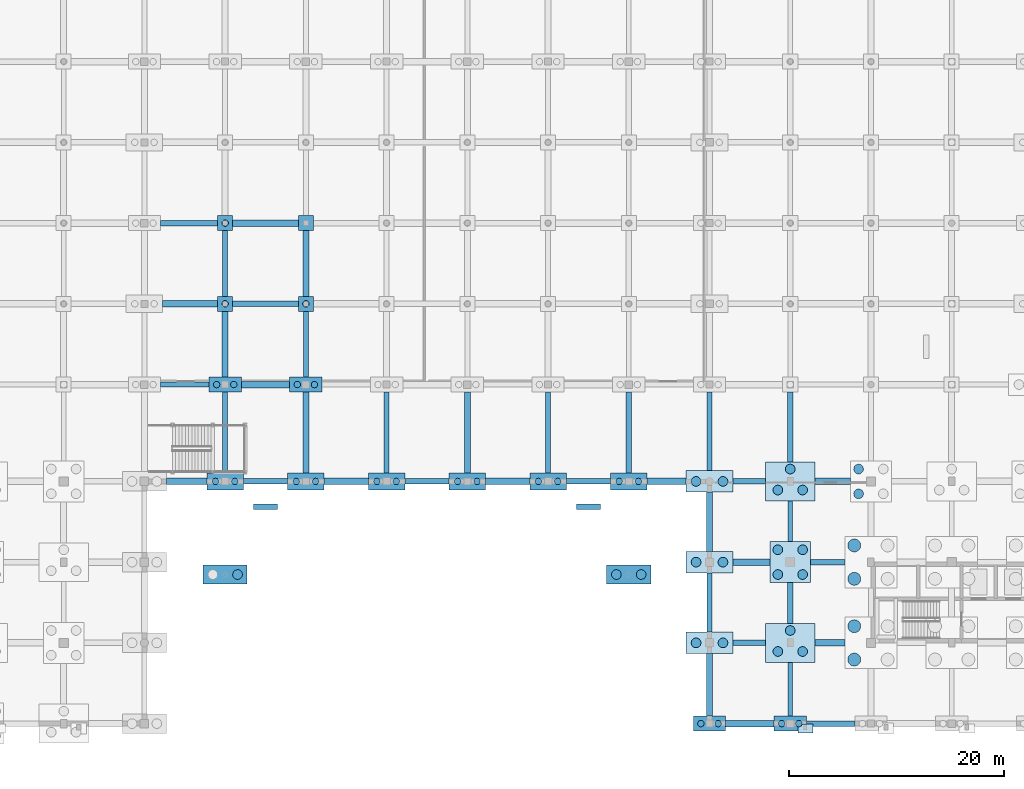
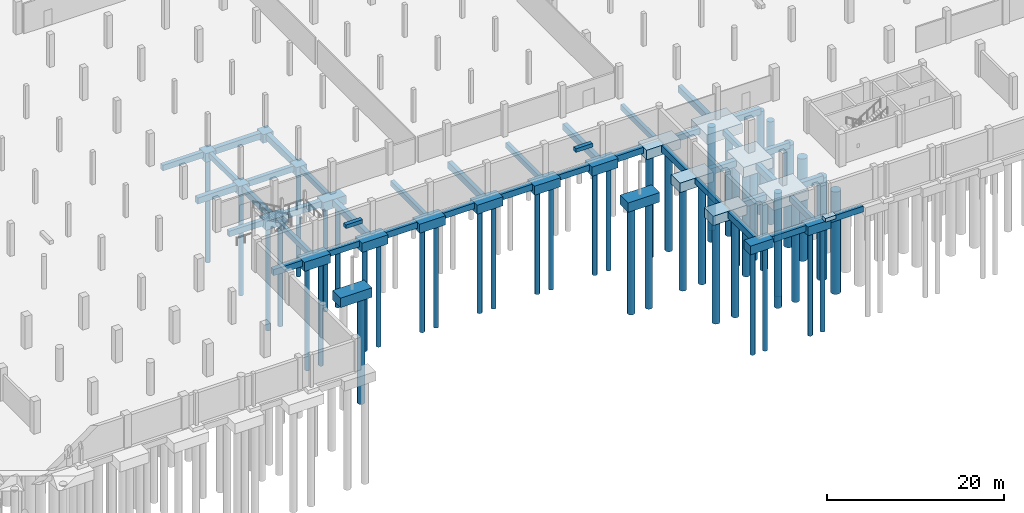
# One storey, part 4 of 42: 64 footings, 48 piles.
"""IFC4 building model written with IfcOpenShell, lengths in metres."""

from ifc_helpers import new_model, si_unit, direction, frame, origin, origin_2d, place, context, subcontext, project, spatial, rectangle, circle, extrude, material, material_profile, profile_set, type_object, element, save


model = new_model("IFC4")

# Units and contexts
model_context = context("Model", 3, precision=1e-05, world=origin(), true_north=direction((0.0, 1.0)))
body_context = subcontext(model_context, "Body", "Model", "MODEL_VIEW")
ifc_project = project(units=[si_unit("LENGTHUNIT", "METRE"), si_unit("AREAUNIT", "SQUARE_METRE"), si_unit("VOLUMEUNIT", "CUBIC_METRE"), si_unit("PLANEANGLEUNIT", "RADIAN"), si_unit("MASSUNIT", "GRAM", prefix="KILO")], contexts=[model_context])

# Site, building, storey
site_placement = place(None, origin())
site = spatial("IfcSite", under=ifc_project, at=site_placement, CompositionType="ELEMENT")
building_placement = place(site_placement, origin())
building = spatial("IfcBuilding", under=site, at=building_placement, Name="Dalvernix Boulevard General Hospital", CompositionType="ELEMENT")
storey_placement = place(building_placement, frame((0.0, 0.0, -4.5)))
storey = spatial("IfcBuildingStorey", under=building, at=storey_placement, Name="B1", CompositionType="ELEMENT", Elevation=-4.5)

# Footings
ifc_material_1 = material(Name="Concrete C35/45", Category="concrete")
footing_type_1 = type_object("IfcFootingType", Name="FTG-GB-01", PredefinedType="FOOTING_BEAM", material=ifc_material_1)
footing_1_placement = place(storey_placement, frame((123.75, 0.0, -1.2998046875), z_axis=(0.0, 0.0, 1.0), x_axis=(1.0, 0.0, 0.0)))
element("IfcFooting", 1, at=footing_1_placement, inside=storey, type_object=footing_type_1, Name="Ground beam A:17-18", PredefinedType="FOOTING_BEAM", context=body_context, shape_type="SweptSolid", body=[
    extrude(rectangle(XDim=4.5, YDim=0.5, at=origin_2d()), origin(), (0.0, 0.0, 1.0), 0.800048828125),
])
footing_2_placement = place(storey_placement, frame((116.199951171875, 7.5, -1.2998046875), z_axis=(0.0, 0.0, 1.0), x_axis=(1.0, 0.0, 0.0)))
element("IfcFooting", 2, at=footing_2_placement, inside=storey, type_object=footing_type_1, Name="Ground beam B:16-17", PredefinedType="FOOTING_BEAM", context=body_context, shape_type="SweptSolid", body=[
    extrude(rectangle(XDim=3.0, YDim=0.5, at=origin_2d()), origin(), (0.0, 0.0, 1.0), 0.800048828125),
])
footing_3_placement = place(storey_placement, frame((123.5, 15.0, -1.2998046875), z_axis=(0.0, 0.0, 1.0), x_axis=(1.0, 0.0, 0.0)))
element("IfcFooting", 3, at=footing_3_placement, inside=storey, type_object=footing_type_1, Name="Ground beam C:17-18", PredefinedType="FOOTING_BEAM", context=body_context, shape_type="SweptSolid", body=[
    extrude(rectangle(XDim=3.199951171875, YDim=0.5, at=origin_2d()), origin(), (0.0, 0.0, 1.0), 0.800048828125),
])
for number, where, z_axis, x_axis, name in (
    (4, (71.25, 22.5, -1.2998046875), (0.0, 0.0, 1.0), (1.0, 0.0, 0.0), "Ground beam D:10-11"),
    (5, (86.25, 22.5, -1.2998046875), (0.0, 0.0, 1.0), (1.0, 0.0, 0.0), "Ground beam D:12-13"),
    (6, (101.25, 22.5, -1.2998046875), (0.0, 0.0, 1.0), (1.0, 0.0, 0.0), "Ground beam D:14-15"),
):
    element("IfcFooting", number, at=place(storey_placement, frame(where, z_axis=z_axis, x_axis=x_axis)), inside=storey, type_object=footing_type_1, Name=name, PredefinedType="FOOTING_BEAM", context=body_context, shape_type="SweptSolid", body=[
        extrude(rectangle(XDim=4.10009765625, YDim=0.5, at=origin_2d()), origin(), (0.0, 0.0, 1.0), 0.800048828125),
    ])
footing_4_placement = place(storey_placement, frame((116.199951171875, 22.5, -1.2998046875), z_axis=(0.0, 0.0, 1.0), x_axis=(1.0, 0.0, 0.0)))
element("IfcFooting", 7, at=footing_4_placement, inside=storey, type_object=footing_type_1, Name="Ground beam D:16-17", PredefinedType="FOOTING_BEAM", context=body_context, shape_type="SweptSolid", body=[
    extrude(rectangle(XDim=3.0, YDim=0.5, at=origin_2d()), origin(), (0.0, 0.0, 1.0), 0.800048828125),
])
footing_5_placement = place(storey_placement, frame((63.75, 31.5, -1.2998046875), z_axis=(0.0, 0.0, 1.0), x_axis=(1.0, 0.0, 0.0)))
element("IfcFooting", 8, at=footing_5_placement, inside=storey, type_object=footing_type_1, Name="Ground beam E:9-10", PredefinedType="FOOTING_BEAM", context=body_context, shape_type="SweptSolid", body=[
    extrude(rectangle(XDim=4.5, YDim=0.5, at=origin_2d()), origin(), (0.0, 0.0, 1.0), 0.800048828125),
])
footing_6_placement = place(storey_placement, frame((71.25, 39.0, -1.2998046875), z_axis=(0.0, 0.0, 1.0), x_axis=(1.0, 0.0, 0.0)))
element("IfcFooting", 9, at=footing_6_placement, inside=storey, type_object=footing_type_1, Name="Ground beam F:10-11", PredefinedType="FOOTING_BEAM", context=body_context, shape_type="SweptSolid", body=[
    extrude(rectangle(XDim=6.10009765625, YDim=0.5, at=origin_2d()), origin(), (0.0, 0.0, 1.0), 0.800048828125),
])
footing_7_placement = place(storey_placement, frame((64.14990234375, 46.5, -1.2998046875), z_axis=(0.0, 0.0, 1.0), x_axis=(1.0, 0.0, 0.0)))
element("IfcFooting", 10, at=footing_7_placement, inside=storey, type_object=footing_type_1, Name="Ground beam G:9-10", PredefinedType="FOOTING_BEAM", context=body_context, shape_type="SweptSolid", body=[
    extrude(rectangle(XDim=5.300048828125, YDim=0.5, at=origin_2d()), origin(), (0.0, 0.0, 1.0), 0.800048828125),
])
footing_type_2 = type_object("IfcFootingType", Name="FTG-GB-02", PredefinedType="FOOTING_BEAM", material=ifc_material_1)
footing_8_placement = place(storey_placement, frame((116.25, 0.0, -1.35009765625), z_axis=(0.0, 0.0, 1.0), x_axis=(1.0, 0.0, 0.0)))
element("IfcFooting", 11, at=footing_8_placement, inside=storey, type_object=footing_type_2, Name="Ground beam A:16-17", PredefinedType="FOOTING_BEAM", context=body_context, shape_type="SweptSolid", body=[
    extrude(rectangle(XDim=4.5, YDim=0.60009765625, at=origin_2d()), origin(), (0.0, 0.0, 1.0), 0.85009765625),
])
footing_9_placement = place(storey_placement, frame((123.699951171875, 7.5, -1.35009765625), z_axis=(0.0, 0.0, 1.0), x_axis=(1.0, 0.0, 0.0)))
element("IfcFooting", 12, at=footing_9_placement, inside=storey, type_object=footing_type_2, Name="Ground beam B:17-18", PredefinedType="FOOTING_BEAM", context=body_context, shape_type="SweptSolid", body=[
    extrude(rectangle(XDim=2.800048828125, YDim=0.60009765625, at=origin_2d()), origin(), (0.0, 0.0, 1.0), 0.85009765625),
])
footing_10_placement = place(storey_placement, frame((116.39990234375, 15.0, -1.35009765625), z_axis=(0.0, 0.0, 1.0), x_axis=(1.0, 0.0, 0.0)))
element("IfcFooting", 13, at=footing_10_placement, inside=storey, type_object=footing_type_2, Name="Ground beam C:16-17", PredefinedType="FOOTING_BEAM", context=body_context, shape_type="SweptSolid", body=[
    extrude(rectangle(XDim=3.39990234375, YDim=0.60009765625, at=origin_2d()), origin(), (0.0, 0.0, 1.0), 0.85009765625),
])
footing_11_placement = place(storey_placement, frame((63.925048828125, 22.5, -1.35009765625), z_axis=(0.0, 0.0, 1.0), x_axis=(1.0, 0.0, 0.0)))
element("IfcFooting", 14, at=footing_11_placement, inside=storey, type_object=footing_type_2, Name="Ground beam D:9-10", PredefinedType="FOOTING_BEAM", context=body_context, shape_type="SweptSolid", body=[
    extrude(rectangle(XDim=3.75, YDim=0.60009765625, at=origin_2d()), origin(), (0.0, 0.0, 1.0), 0.85009765625),
])
for number, where, z_axis, x_axis, name in (
    (15, (78.75, 22.5, -1.35009765625), (0.0, 0.0, 1.0), (1.0, 0.0, 0.0), "Ground beam D:11-12"),
    (16, (93.75, 22.5, -1.35009765625), (0.0, 0.0, 1.0), (1.0, 0.0, 0.0), "Ground beam D:13-14"),
):
    element("IfcFooting", number, at=place(storey_placement, frame(where, z_axis=z_axis, x_axis=x_axis)), inside=storey, type_object=footing_type_2, Name=name, PredefinedType="FOOTING_BEAM", context=body_context, shape_type="SweptSolid", body=[
        extrude(rectangle(XDim=4.10009765625, YDim=0.60009765625, at=origin_2d()), origin(), (0.0, 0.0, 1.0), 0.85009765625),
    ])
footing_12_placement = place(storey_placement, frame((108.5, 22.5, -1.35009765625), z_axis=(0.0, 0.0, 1.0), x_axis=(1.0, 0.0, 0.0)))
element("IfcFooting", 17, at=footing_12_placement, inside=storey, type_object=footing_type_2, Name="Ground beam D:15-16", PredefinedType="FOOTING_BEAM", context=body_context, shape_type="SweptSolid", body=[
    extrude(rectangle(XDim=3.60009765625, YDim=0.60009765625, at=origin_2d()), origin(), (0.0, 0.0, 1.0), 0.85009765625),
])
footing_13_placement = place(storey_placement, frame((123.949951171875, 22.5, -1.35009765625), z_axis=(0.0, 0.0, 1.0), x_axis=(1.0, 0.0, 0.0)))
element("IfcFooting", 18, at=footing_13_placement, inside=storey, type_object=footing_type_2, Name="Ground beam D:17-18", PredefinedType="FOOTING_BEAM", context=body_context, shape_type="SweptSolid", body=[
    extrude(rectangle(XDim=3.300048828125, YDim=0.60009765625, at=origin_2d()), origin(), (0.0, 0.0, 1.0), 0.85009765625),
])
footing_14_placement = place(storey_placement, frame((71.25, 31.5, -1.35009765625), z_axis=(0.0, 0.0, 1.0), x_axis=(1.0, 0.0, 0.0)))
element("IfcFooting", 19, at=footing_14_placement, inside=storey, type_object=footing_type_2, Name="Ground beam E:10-11", PredefinedType="FOOTING_BEAM", context=body_context, shape_type="SweptSolid", body=[
    extrude(rectangle(XDim=4.5, YDim=0.60009765625, at=origin_2d()), origin(), (0.0, 0.0, 1.0), 0.85009765625),
])
footing_15_placement = place(storey_placement, frame((64.25, 39.0, -1.35009765625), z_axis=(0.0, 0.0, 1.0), x_axis=(1.0, 0.0, 0.0)))
element("IfcFooting", 20, at=footing_15_placement, inside=storey, type_object=footing_type_2, Name="Ground beam F:9-10", PredefinedType="FOOTING_BEAM", context=body_context, shape_type="SweptSolid", body=[
    extrude(rectangle(XDim=5.10009765625, YDim=0.60009765625, at=origin_2d()), origin(), (0.0, 0.0, 1.0), 0.85009765625),
])
footing_16_placement = place(storey_placement, frame((71.25, 46.5, -1.35009765625), z_axis=(0.0, 0.0, 1.0), x_axis=(1.0, 0.0, 0.0)))
element("IfcFooting", 21, at=footing_16_placement, inside=storey, type_object=footing_type_2, Name="Ground beam G:10-11", PredefinedType="FOOTING_BEAM", context=body_context, shape_type="SweptSolid", body=[
    extrude(rectangle(XDim=6.10009765625, YDim=0.60009765625, at=origin_2d()), origin(), (0.0, 0.0, 1.0), 0.85009765625),
])
footing_type_3 = type_object("IfcFootingType", Name="FTG-GB-03", PredefinedType="FOOTING_BEAM", material=ifc_material_1)
footing_17_placement = place(storey_placement, frame((67.5, 27.050048828125, -1.25), z_axis=(0.0, 0.0, 1.0), x_axis=(0.0, 1.0, 0.0)))
element("IfcFooting", 22, at=footing_17_placement, inside=storey, type_object=footing_type_3, Name="Ground beam 10:D-E", PredefinedType="FOOTING_BEAM", context=body_context, shape_type="SweptSolid", body=[
    extrude(rectangle(XDim=7.5, YDim=0.449951171875, at=origin_2d()), origin(), (0.0, 0.0, 1.0), 0.75),
])
for number, where, z_axis, x_axis, name in (
    (23, (67.5, 42.75, -1.25), (0.0, 0.0, 1.0), (0.0, 1.0, 0.0), "Ground beam 10:F-G"),
    (24, (75.0, 35.25, -1.25), (0.0, 0.0, 1.0), (0.0, 1.0, 0.0), "Ground beam 11:E-F"),
):
    element("IfcFooting", number, at=place(storey_placement, frame(where, z_axis=z_axis, x_axis=x_axis)), inside=storey, type_object=footing_type_3, Name=name, PredefinedType="FOOTING_BEAM", context=body_context, shape_type="SweptSolid", body=[
        extrude(rectangle(XDim=6.10009765625, YDim=0.449951171875, at=origin_2d()), origin(), (0.0, 0.0, 1.0), 0.75),
    ])
for number, where, z_axis, x_axis, name in (
    (25, (82.5, 27.050048828125, -1.25), (0.0, 0.0, 1.0), (0.0, 1.0, 0.0), "Ground beam 12:D-E"),
    (26, (97.5, 27.050048828125, -1.25), (0.0, 0.0, 1.0), (0.0, 1.0, 0.0), "Ground beam 14:D-E"),
):
    element("IfcFooting", number, at=place(storey_placement, frame(where, z_axis=z_axis, x_axis=x_axis)), inside=storey, type_object=footing_type_3, Name=name, PredefinedType="FOOTING_BEAM", context=body_context, shape_type="SweptSolid", body=[
        extrude(rectangle(XDim=7.5, YDim=0.449951171875, at=origin_2d()), origin(), (0.0, 0.0, 1.0), 0.75),
    ])
footing_18_placement = place(storey_placement, frame((112.5, 11.25, -1.25), z_axis=(0.0, 0.0, 1.0), x_axis=(0.0, 1.0, 0.0)))
element("IfcFooting", 27, at=footing_18_placement, inside=storey, type_object=footing_type_3, Name="Ground beam 16:B-C", PredefinedType="FOOTING_BEAM", context=body_context, shape_type="SweptSolid", body=[
    extrude(rectangle(XDim=5.5, YDim=0.449951171875, at=origin_2d()), origin(), (0.0, 0.0, 1.0), 0.75),
])
footing_19_placement = place(storey_placement, frame((112.5, 27.14990234375, -1.25), z_axis=(0.0, 0.0, 1.0), x_axis=(0.0, 1.0, 0.0)))
element("IfcFooting", 28, at=footing_19_placement, inside=storey, type_object=footing_type_3, Name="Ground beam 16:D-E", PredefinedType="FOOTING_BEAM", context=body_context, shape_type="SweptSolid", body=[
    extrude(rectangle(XDim=7.300048828125, YDim=0.449951171875, at=origin_2d()), origin(), (0.0, 0.0, 1.0), 0.75),
])
footing_20_placement = place(storey_placement, frame((120.0, 3.199951171875, -1.25), z_axis=(0.0, 0.0, 1.0), x_axis=(0.0, 1.0, 0.0)))
element("IfcFooting", 29, at=footing_20_placement, inside=storey, type_object=footing_type_3, Name="Ground beam 17:A-B", PredefinedType="FOOTING_BEAM", context=body_context, shape_type="SweptSolid", body=[
    extrude(rectangle(XDim=5.0, YDim=0.449951171875, at=origin_2d()), origin(), (0.0, 0.0, 1.0), 0.75),
])
footing_21_placement = place(storey_placement, frame((120.0, 18.800048828125, -1.25), z_axis=(0.0, 0.0, 1.0), x_axis=(0.0, 1.0, 0.0)))
element("IfcFooting", 30, at=footing_21_placement, inside=storey, type_object=footing_type_3, Name="Ground beam 17:C-D", PredefinedType="FOOTING_BEAM", context=body_context, shape_type="SweptSolid", body=[
    extrude(rectangle(XDim=3.800048828125, YDim=0.449951171875, at=origin_2d()), origin(), (0.0, 0.0, 1.0), 0.75),
])
footing_type_4 = type_object("IfcFootingType", Name="FTG-GB-04", PredefinedType="FOOTING_BEAM", material=ifc_material_1)
footing_22_placement = place(storey_placement, frame((67.5, 35.25, -1.39990234375), z_axis=(0.0, 0.0, 1.0), x_axis=(0.0, 1.0, 0.0)))
element("IfcFooting", 31, at=footing_22_placement, inside=storey, type_object=footing_type_4, Name="Ground beam 10:E-F", PredefinedType="FOOTING_BEAM", context=body_context, shape_type="SweptSolid", body=[
    extrude(rectangle(XDim=6.10009765625, YDim=0.550048828125, at=origin_2d()), origin(), (0.0, 0.0, 1.0), 0.89990234375),
])
footing_23_placement = place(storey_placement, frame((75.0, 27.050048828125, -1.39990234375), z_axis=(0.0, 0.0, 1.0), x_axis=(0.0, 1.0, 0.0)))
element("IfcFooting", 32, at=footing_23_placement, inside=storey, type_object=footing_type_4, Name="Ground beam 11:D-E", PredefinedType="FOOTING_BEAM", context=body_context, shape_type="SweptSolid", body=[
    extrude(rectangle(XDim=7.5, YDim=0.550048828125, at=origin_2d()), origin(), (0.0, 0.0, 1.0), 0.89990234375),
])
footing_24_placement = place(storey_placement, frame((75.0, 42.75, -1.39990234375), z_axis=(0.0, 0.0, 1.0), x_axis=(0.0, 1.0, 0.0)))
element("IfcFooting", 33, at=footing_24_placement, inside=storey, type_object=footing_type_4, Name="Ground beam 11:F-G", PredefinedType="FOOTING_BEAM", context=body_context, shape_type="SweptSolid", body=[
    extrude(rectangle(XDim=6.10009765625, YDim=0.550048828125, at=origin_2d()), origin(), (0.0, 0.0, 1.0), 0.89990234375),
])
for number, where, z_axis, x_axis, name in (
    (34, (90.0, 27.050048828125, -1.39990234375), (0.0, 0.0, 1.0), (0.0, 1.0, 0.0), "Ground beam 13:D-E"),
    (35, (105.0, 27.050048828125, -1.39990234375), (0.0, 0.0, 1.0), (0.0, 1.0, 0.0), "Ground beam 15:D-E"),
):
    element("IfcFooting", number, at=place(storey_placement, frame(where, z_axis=z_axis, x_axis=x_axis)), inside=storey, type_object=footing_type_4, Name=name, PredefinedType="FOOTING_BEAM", context=body_context, shape_type="SweptSolid", body=[
        extrude(rectangle(XDim=7.5, YDim=0.550048828125, at=origin_2d()), origin(), (0.0, 0.0, 1.0), 0.89990234375),
    ])
footing_25_placement = place(storey_placement, frame((112.5, 3.60009765625, -1.39990234375), z_axis=(0.0, 0.0, 1.0), x_axis=(0.0, 1.0, 0.0)))
element("IfcFooting", 36, at=footing_25_placement, inside=storey, type_object=footing_type_4, Name="Ground beam 16:A-B", PredefinedType="FOOTING_BEAM", context=body_context, shape_type="SweptSolid", body=[
    extrude(rectangle(XDim=5.800048828125, YDim=0.550048828125, at=origin_2d()), origin(), (0.0, 0.0, 1.0), 0.89990234375),
])
footing_26_placement = place(storey_placement, frame((112.5, 18.75, -1.39990234375), z_axis=(0.0, 0.0, 1.0), x_axis=(0.0, 1.0, 0.0)))
element("IfcFooting", 37, at=footing_26_placement, inside=storey, type_object=footing_type_4, Name="Ground beam 16:C-D", PredefinedType="FOOTING_BEAM", context=body_context, shape_type="SweptSolid", body=[
    extrude(rectangle(XDim=5.5, YDim=0.550048828125, at=origin_2d()), origin(), (0.0, 0.0, 1.0), 0.89990234375),
])
footing_27_placement = place(storey_placement, frame((120.0, 11.199951171875, -1.39990234375), z_axis=(0.0, 0.0, 1.0), x_axis=(0.0, 1.0, 0.0)))
element("IfcFooting", 38, at=footing_27_placement, inside=storey, type_object=footing_type_4, Name="Ground beam 17:B-C", PredefinedType="FOOTING_BEAM", context=body_context, shape_type="SweptSolid", body=[
    extrude(rectangle(XDim=3.800048828125, YDim=0.550048828125, at=origin_2d()), origin(), (0.0, 0.0, 1.0), 0.89990234375),
])
footing_28_placement = place(storey_placement, frame((120.0, 27.550048828125, -1.39990234375), z_axis=(0.0, 0.0, 1.0), x_axis=(0.0, 1.0, 0.0)))
element("IfcFooting", 39, at=footing_28_placement, inside=storey, type_object=footing_type_4, Name="Ground beam 17:D-E", PredefinedType="FOOTING_BEAM", context=body_context, shape_type="SweptSolid", body=[
    extrude(rectangle(XDim=6.5, YDim=0.550048828125, at=origin_2d()), origin(), (0.0, 0.0, 1.0), 0.89990234375),
])
ifc_material_2 = material(Name="Concrete C40/50", Category="concrete")
footing_type_5 = type_object("IfcFootingType", Name="FTG-PC-01", PredefinedType="PILE_CAP", material=ifc_material_2)
for number, where, z_axis, x_axis, name in (
    (40, (67.5, 39.0, -1.7001953125), (0.0, 0.0, 1.0), (1.0, 0.0, 0.0), "Pile cap 10F"),
    (41, (67.5, 46.5, -1.7001953125), (0.0, 0.0, 1.0), (1.0, 0.0, 0.0), "Pile cap 10G"),
    (42, (75.0, 39.0, -1.7001953125), (0.0, 0.0, 1.0), (1.0, 0.0, 0.0), "Pile cap 11F"),
    (43, (75.0, 46.5, -1.7001953125), (0.0, 0.0, 1.0), (1.0, 0.0, 0.0), "Pile cap 11G"),
):
    element("IfcFooting", number, at=place(storey_placement, frame(where, z_axis=z_axis, x_axis=x_axis)), inside=storey, type_object=footing_type_5, Name=name, PredefinedType="PILE_CAP", context=body_context, shape_type="SweptSolid", body=[
        extrude(rectangle(XDim=1.39990234375, YDim=1.39990234375, at=origin_2d()), origin(), (0.0, 0.0, 1.0), 1.199951171875),
    ])
footing_type_6 = type_object("IfcFootingType", Name="FTG-PC-02", PredefinedType="PILE_CAP", material=ifc_material_2)
for number, where, z_axis, x_axis, name in (
    (44, (67.5, 31.5, -1.7001953125), (0.0, 0.0, 1.0), (1.0, 0.0, 0.0), "Pile cap 10E"),
    (45, (75.0, 31.5, -1.7001953125), (0.0, 0.0, 1.0), (1.0, 0.0, 0.0), "Pile cap 11E"),
    (46, (112.5, 0.0, -1.7001953125), (0.0, 0.0, 1.0), (1.0, 0.0, 0.0), "Pile cap 16A"),
    (47, (120.0, 0.0, -1.7001953125), (0.0, 0.0, 1.0), (1.0, 0.0, 0.0), "Pile cap 17A"),
):
    element("IfcFooting", number, at=place(storey_placement, frame(where, z_axis=z_axis, x_axis=x_axis)), inside=storey, type_object=footing_type_6, Name=name, PredefinedType="PILE_CAP", context=body_context, shape_type="SweptSolid", body=[
        extrude(rectangle(XDim=3.0, YDim=1.39990234375, at=origin_2d()), origin(), (0.0, 0.0, 1.0), 1.199951171875),
    ])
footing_type_7 = type_object("IfcFootingType", Name="FTG-PC-03", PredefinedType="PILE_CAP", material=ifc_material_2)
for number, where, z_axis, x_axis, name in (
    (48, (67.5, 22.5, -1.75), (0.0, 0.0, 1.0), (1.0, 0.0, 0.0), "Pile cap 10D"),
    (49, (75.0, 22.5, -1.75), (0.0, 0.0, 1.0), (1.0, 0.0, 0.0), "Pile cap 11D"),
    (50, (82.5, 22.5, -1.75), (0.0, 0.0, 1.0), (1.0, 0.0, 0.0), "Pile cap 12D"),
    (51, (90.0, 22.5, -1.75), (0.0, 0.0, 1.0), (1.0, 0.0, 0.0), "Pile cap 13D"),
    (52, (97.5, 22.5, -1.75), (0.0, 0.0, 1.0), (1.0, 0.0, 0.0), "Pile cap 14D"),
    (53, (105.0, 22.5, -1.75), (0.0, 0.0, 1.0), (1.0, 0.0, 0.0), "Pile cap 15D"),
):
    element("IfcFooting", number, at=place(storey_placement, frame(where, z_axis=z_axis, x_axis=x_axis)), inside=storey, type_object=footing_type_7, Name=name, PredefinedType="PILE_CAP", context=body_context, shape_type="SweptSolid", body=[
        extrude(rectangle(XDim=3.39990234375, YDim=1.60009765625, at=origin_2d()), origin(), (0.0, 0.0, 1.0), 1.25),
    ])
footing_type_8 = type_object("IfcFootingType", Name="FTG-PC-04", PredefinedType="PILE_CAP", material=ifc_material_2)
for number, where, z_axis, x_axis, name in (
    (54, (67.5, 13.85009765625, -1.2998046875), (0.0, 0.0, 1.0), (1.0, 0.0, 0.0), "Porte-cochere pylon pile cap 1"),
    (55, (105.0, 13.85009765625, -1.2998046875), (0.0, 0.0, 1.0), (1.0, 0.0, 0.0), "Porte-cochere pylon pile cap 2"),
):
    element("IfcFooting", number, at=place(storey_placement, frame(where, z_axis=z_axis, x_axis=x_axis)), inside=storey, type_object=footing_type_8, Name=name, PredefinedType="PILE_CAP", context=body_context, shape_type="SweptSolid", body=[
        extrude(rectangle(XDim=4.10009765625, YDim=1.800048828125, at=origin_2d()), origin(), (0.0, 0.0, 1.0), 1.300048828125),
    ])
footing_type_9 = type_object("IfcFootingType", Name="FTG-PC-05", PredefinedType="PILE_CAP", material=ifc_material_2)
for number, where, z_axis, x_axis, name in (
    (56, (112.5, 7.5, -1.7998046875), (0.0, 0.0, 1.0), (1.0, 0.0, 0.0), "Pile cap 16B"),
    (57, (112.5, 15.0, -1.7998046875), (0.0, 0.0, 1.0), (1.0, 0.0, 0.0), "Pile cap 16C"),
    (58, (112.5, 22.5, -1.7998046875), (0.0, 0.0, 1.0), (1.0, 0.0, 0.0), "Pile cap 16D"),
):
    element("IfcFooting", number, at=place(storey_placement, frame(where, z_axis=z_axis, x_axis=x_axis)), inside=storey, type_object=footing_type_9, Name=name, PredefinedType="PILE_CAP", context=body_context, shape_type="SweptSolid", body=[
        extrude(rectangle(XDim=4.39990234375, YDim=2.0, at=origin_2d()), origin(), (0.0, 0.0, 1.0), 1.300048828125),
    ])
footing_type_10 = type_object("IfcFootingType", Name="FTG-PC-06", PredefinedType="PILE_CAP", material=ifc_material_2)
for number, where, z_axis, x_axis, name in (
    (59, (120.0, 7.5, -1.85009765625), (0.0, 0.0, 1.0), (1.0, 0.0, 0.0), "Pile cap 17B"),
    (60, (120.0, 22.5, -1.85009765625), (0.0, 0.0, 1.0), (1.0, 0.0, 0.0), "Pile cap 17D"),
):
    element("IfcFooting", number, at=place(storey_placement, frame(where, z_axis=z_axis, x_axis=x_axis)), inside=storey, type_object=footing_type_10, Name=name, PredefinedType="PILE_CAP", context=body_context, shape_type="SweptSolid", body=[
        extrude(rectangle(XDim=4.60009765625, YDim=3.60009765625, at=origin_2d()), origin(), (0.0, 0.0, 1.0), 1.35009765625),
    ])
footing_type_11 = type_object("IfcFootingType", Name="FTG-PC-07", PredefinedType="PILE_CAP", material=ifc_material_2)
footing_29_placement = place(storey_placement, frame((120.0, 15.0, -1.89990234375), z_axis=(0.0, 0.0, 1.0), x_axis=(1.0, 0.0, 0.0)))
element("IfcFooting", 61, at=footing_29_placement, inside=storey, type_object=footing_type_11, Name="Pile cap 17C", PredefinedType="PILE_CAP", context=body_context, shape_type="SweptSolid", body=[
    extrude(rectangle(XDim=3.800048828125, YDim=3.800048828125, at=origin_2d()), origin(), (0.0, 0.0, 1.0), 1.39990234375),
])
footing_type_12 = type_object("IfcFootingType", Name="FTG-SF-01", PredefinedType="STRIP_FOOTING", material=ifc_material_1)
footing_30_placement = place(storey_placement, frame((121.39990234375, -0.449951171875, -0.5), z_axis=(0.0, 0.0, 1.0), x_axis=(1.0, 0.0, 0.0)))
element("IfcFooting", 62, at=footing_30_placement, inside=storey, type_object=footing_type_12, Name="Boulevard buttress strip footing 7", PredefinedType="STRIP_FOOTING", context=body_context, shape_type="SweptSolid", body=[
    extrude(rectangle(XDim=1.39990234375, YDim=0.800048828125, at=origin_2d()), origin(), (0.0, 0.0, 1.0), 0.5),
])
for number, where, z_axis, x_axis, name in (
    (63, (71.25, 20.14990234375, 3.719970703125), (0.0, 0.0, 1.0), (0.0, 1.0, 0.0), "Accessible entrance ramp lower strip footing 1"),
    (64, (101.25, 20.14990234375, 3.719970703125), (0.0, 0.0, 1.0), (0.0, 1.0, 0.0), "Accessible entrance ramp lower strip footing 2"),
):
    element("IfcFooting", number, at=place(storey_placement, frame(where, z_axis=z_axis, x_axis=x_axis)), inside=storey, type_object=footing_type_12, Name=name, PredefinedType="STRIP_FOOTING", context=body_context, shape_type="SweptSolid", body=[
        extrude(rectangle(XDim=0.5, YDim=2.199951171875, at=origin_2d()), origin(), (0.0, 0.0, 1.0), 0.5),
    ])

# Piles
ifc_material_profile_1 = material_profile(ifc_material_1, circle(Radius=0.300048828125, at=origin_2d()), Name="BORED PILE D600")
ifc_profile_set_1 = profile_set([ifc_material_profile_1], Name="Concrete C35/45")
pile_type_1 = type_object("IfcPileType", Name="PILE-PL-01", PredefinedType="BORED", material=ifc_profile_set_1)
for number, where, z_axis, x_axis, name in (
    (65, (66.60009765625, 22.5, -1.64990234375), (0.0, 0.0, -1.0), (1.0, 0.0, 0.0), "Bored pile 10D-1"),
    (66, (68.39990234375, 22.5, -1.64990234375), (0.0, 0.0, -1.0), (1.0, 0.0, 0.0), "Bored pile 10D-2"),
):
    element("IfcPile", number, at=place(storey_placement, frame(where, z_axis=z_axis, x_axis=x_axis)), inside=storey, type_object=pile_type_1, Name=name, PredefinedType="BORED", context=body_context, shape_type="SweptSolid", body=[
        extrude(circle(Radius=0.300048828125, at=origin_2d()), origin(), (0.0, 0.0, 1.0), 14.35009765625),
    ])
for number, where, z_axis, x_axis, name in (
    (67, (66.699951171875, 31.5, -1.60009765625), (0.0, 0.0, -1.0), (1.0, 0.0, 0.0), "Bored pile 10E-1"),
    (68, (68.300048828125, 31.5, -1.60009765625), (0.0, 0.0, -1.0), (1.0, 0.0, 0.0), "Bored pile 10E-2"),
    (69, (67.5, 39.0, -1.60009765625), (0.0, 0.0, -1.0), (1.0, 0.0, 0.0), "Bored pile 10F-1"),
    (70, (67.5, 46.5, -1.60009765625), (0.0, 0.0, -1.0), (1.0, 0.0, 0.0), "Bored pile 10G-1"),
):
    element("IfcPile", number, at=place(storey_placement, frame(where, z_axis=z_axis, x_axis=x_axis)), inside=storey, type_object=pile_type_1, Name=name, PredefinedType="BORED", context=body_context, shape_type="SweptSolid", body=[
        extrude(circle(Radius=0.300048828125, at=origin_2d()), origin(), (0.0, 0.0, 1.0), 14.39990234375),
    ])
for number, where, z_axis, x_axis, name in (
    (71, (74.10009765625, 22.5, -1.64990234375), (0.0, 0.0, -1.0), (1.0, 0.0, 0.0), "Bored pile 11D-1"),
    (72, (75.89990234375, 22.5, -1.64990234375), (0.0, 0.0, -1.0), (1.0, 0.0, 0.0), "Bored pile 11D-2"),
):
    element("IfcPile", number, at=place(storey_placement, frame(where, z_axis=z_axis, x_axis=x_axis)), inside=storey, type_object=pile_type_1, Name=name, PredefinedType="BORED", context=body_context, shape_type="SweptSolid", body=[
        extrude(circle(Radius=0.300048828125, at=origin_2d()), origin(), (0.0, 0.0, 1.0), 14.35009765625),
    ])
for number, where, z_axis, x_axis, name in (
    (73, (74.199951171875, 31.5, -1.60009765625), (0.0, 0.0, -1.0), (1.0, 0.0, 0.0), "Bored pile 11E-1"),
    (74, (75.800048828125, 31.5, -1.60009765625), (0.0, 0.0, -1.0), (1.0, 0.0, 0.0), "Bored pile 11E-2"),
    (75, (75.0, 39.0, -1.60009765625), (0.0, 0.0, -1.0), (1.0, 0.0, 0.0), "Bored pile 11F-1"),
):
    element("IfcPile", number, at=place(storey_placement, frame(where, z_axis=z_axis, x_axis=x_axis)), inside=storey, type_object=pile_type_1, Name=name, PredefinedType="BORED", context=body_context, shape_type="SweptSolid", body=[
        extrude(circle(Radius=0.300048828125, at=origin_2d()), origin(), (0.0, 0.0, 1.0), 14.39990234375),
    ])
for number, where, z_axis, x_axis, name in (
    (76, (81.60009765625, 22.5, -1.64990234375), (0.0, 0.0, -1.0), (1.0, 0.0, 0.0), "Bored pile 12D-1"),
    (77, (83.39990234375, 22.5, -1.64990234375), (0.0, 0.0, -1.0), (1.0, 0.0, 0.0), "Bored pile 12D-2"),
    (78, (89.10009765625, 22.5, -1.64990234375), (0.0, 0.0, -1.0), (1.0, 0.0, 0.0), "Bored pile 13D-1"),
    (79, (90.89990234375, 22.5, -1.64990234375), (0.0, 0.0, -1.0), (1.0, 0.0, 0.0), "Bored pile 13D-2"),
    (80, (96.60009765625, 22.5, -1.64990234375), (0.0, 0.0, -1.0), (1.0, 0.0, 0.0), "Bored pile 14D-1"),
    (81, (98.39990234375, 22.5, -1.64990234375), (0.0, 0.0, -1.0), (1.0, 0.0, 0.0), "Bored pile 14D-2"),
    (82, (104.10009765625, 22.5, -1.64990234375), (0.0, 0.0, -1.0), (1.0, 0.0, 0.0), "Bored pile 15D-1"),
    (83, (105.89990234375, 22.5, -1.64990234375), (0.0, 0.0, -1.0), (1.0, 0.0, 0.0), "Bored pile 15D-2"),
):
    element("IfcPile", number, at=place(storey_placement, frame(where, z_axis=z_axis, x_axis=x_axis)), inside=storey, type_object=pile_type_1, Name=name, PredefinedType="BORED", context=body_context, shape_type="SweptSolid", body=[
        extrude(circle(Radius=0.300048828125, at=origin_2d()), origin(), (0.0, 0.0, 1.0), 14.35009765625),
    ])
for number, where, z_axis, x_axis, name in (
    (84, (111.699951171875, 0.0, -1.60009765625), (0.0, 0.0, -1.0), (1.0, 0.0, 0.0), "Bored pile 16A-1"),
    (85, (113.300048828125, 0.0, -1.60009765625), (0.0, 0.0, -1.0), (1.0, 0.0, 0.0), "Bored pile 16A-2"),
    (86, (119.199951171875, 0.0, -1.60009765625), (0.0, 0.0, -1.0), (1.0, 0.0, 0.0), "Bored pile 17A-1"),
    (87, (120.800048828125, 0.0, -1.60009765625), (0.0, 0.0, -1.0), (1.0, 0.0, 0.0), "Bored pile 17A-2"),
):
    element("IfcPile", number, at=place(storey_placement, frame(where, z_axis=z_axis, x_axis=x_axis)), inside=storey, type_object=pile_type_1, Name=name, PredefinedType="BORED", context=body_context, shape_type="SweptSolid", body=[
        extrude(circle(Radius=0.300048828125, at=origin_2d()), origin(), (0.0, 0.0, 1.0), 14.39990234375),
    ])
ifc_material_profile_2 = material_profile(ifc_material_1, circle(Radius=0.449951171875, at=origin_2d()), Name="BORED PILE D900")
ifc_profile_set_2 = profile_set([ifc_material_profile_2], Name="Concrete C35/45")
pile_type_2 = type_object("IfcPileType", Name="PILE-PL-02", PredefinedType="BORED", material=ifc_profile_set_2)
for number, where, z_axis, x_axis, name in (
    (88, (111.25, 7.5, -1.699951171875), (0.0, 0.0, -1.0), (1.0, 0.0, 0.0), "Bored pile 16B-1"),
    (89, (113.75, 7.5, -1.699951171875), (0.0, 0.0, -1.0), (1.0, 0.0, 0.0), "Bored pile 16B-2"),
    (90, (111.25, 15.0, -1.699951171875), (0.0, 0.0, -1.0), (1.0, 0.0, 0.0), "Bored pile 16C-1"),
    (91, (113.75, 15.0, -1.699951171875), (0.0, 0.0, -1.0), (1.0, 0.0, 0.0), "Bored pile 16C-2"),
    (92, (111.25, 22.5, -1.699951171875), (0.0, 0.0, -1.0), (1.0, 0.0, 0.0), "Bored pile 16D-1"),
    (93, (113.75, 22.5, -1.699951171875), (0.0, 0.0, -1.0), (1.0, 0.0, 0.0), "Bored pile 16D-2"),
):
    element("IfcPile", number, at=place(storey_placement, frame(where, z_axis=z_axis, x_axis=x_axis)), inside=storey, type_object=pile_type_2, Name=name, PredefinedType="BORED", context=body_context, shape_type="SweptSolid", body=[
        extrude(circle(Radius=0.449951171875, at=origin_2d()), origin(), (0.0, 0.0, 1.0), 14.300048828125),
    ])
for number, where, z_axis, x_axis, name in (
    (94, (118.85009765625, 6.699951171875, -1.75), (0.0, 0.0, -1.0), (1.0, 0.0, 0.0), "Bored pile 17B-1"),
    (95, (121.14990234375, 6.699951171875, -1.75), (0.0, 0.0, -1.0), (1.0, 0.0, 0.0), "Bored pile 17B-2"),
    (96, (120.0, 8.64990234375, -1.75), (0.0, 0.0, -1.0), (1.0, 0.0, 0.0), "Bored pile 17B-3"),
):
    element("IfcPile", number, at=place(storey_placement, frame(where, z_axis=z_axis, x_axis=x_axis)), inside=storey, type_object=pile_type_2, Name=name, PredefinedType="BORED", context=body_context, shape_type="SweptSolid", body=[
        extrude(circle(Radius=0.449951171875, at=origin_2d()), origin(), (0.0, 0.0, 1.0), 14.25),
    ])
for number, where, z_axis, x_axis, name in (
    (97, (118.85009765625, 13.85009765625, -1.800048828125), (0.0, 0.0, -1.0), (1.0, 0.0, 0.0), "Bored pile 17C-1"),
    (98, (121.14990234375, 13.85009765625, -1.800048828125), (0.0, 0.0, -1.0), (1.0, 0.0, 0.0), "Bored pile 17C-2"),
    (99, (118.85009765625, 16.14990234375, -1.800048828125), (0.0, 0.0, -1.0), (1.0, 0.0, 0.0), "Bored pile 17C-3"),
    (100, (121.14990234375, 16.14990234375, -1.800048828125), (0.0, 0.0, -1.0), (1.0, 0.0, 0.0), "Bored pile 17C-4"),
):
    element("IfcPile", number, at=place(storey_placement, frame(where, z_axis=z_axis, x_axis=x_axis)), inside=storey, type_object=pile_type_2, Name=name, PredefinedType="BORED", context=body_context, shape_type="SweptSolid", body=[
        extrude(circle(Radius=0.449951171875, at=origin_2d()), origin(), (0.0, 0.0, 1.0), 14.199951171875),
    ])
for number, where, z_axis, x_axis, name in (
    (101, (118.85009765625, 21.699951171875, -1.75), (0.0, 0.0, -1.0), (1.0, 0.0, 0.0), "Bored pile 17D-1"),
    (102, (121.14990234375, 21.699951171875, -1.75), (0.0, 0.0, -1.0), (1.0, 0.0, 0.0), "Bored pile 17D-2"),
    (103, (120.0, 23.64990234375, -1.75), (0.0, 0.0, -1.0), (1.0, 0.0, 0.0), "Bored pile 17D-3"),
):
    element("IfcPile", number, at=place(storey_placement, frame(where, z_axis=z_axis, x_axis=x_axis)), inside=storey, type_object=pile_type_2, Name=name, PredefinedType="BORED", context=body_context, shape_type="SweptSolid", body=[
        extrude(circle(Radius=0.449951171875, at=origin_2d()), origin(), (0.0, 0.0, 1.0), 14.25),
    ])
for number, where, z_axis, x_axis, name in (
    (104, (126.35009765625, 21.35009765625, -1.800048828125), (0.0, 0.0, -1.0), (1.0, 0.0, 0.0), "Bored pile 18D-1"),
    (105, (126.35009765625, 23.64990234375, -1.800048828125), (0.0, 0.0, -1.0), (1.0, 0.0, 0.0), "Bored pile 18D-3"),
):
    element("IfcPile", number, at=place(storey_placement, frame(where, z_axis=z_axis, x_axis=x_axis)), inside=storey, type_object=pile_type_2, Name=name, PredefinedType="BORED", context=body_context, shape_type="SweptSolid", body=[
        extrude(circle(Radius=0.449951171875, at=origin_2d()), origin(), (0.0, 0.0, 1.0), 14.199951171875),
    ])
for number, where, z_axis, x_axis, name in (
    (106, (68.64990234375, 13.85009765625, -1.199951171875), (0.0, 0.0, -1.0), (1.0, 0.0, 0.0), "Porte-cochere pylon bored pile 1-2"),
    (107, (103.85009765625, 13.85009765625, -1.199951171875), (0.0, 0.0, -1.0), (1.0, 0.0, 0.0), "Porte-cochere pylon bored pile 2-1"),
    (108, (106.14990234375, 13.85009765625, -1.199951171875), (0.0, 0.0, -1.0), (1.0, 0.0, 0.0), "Porte-cochere pylon bored pile 2-2"),
):
    element("IfcPile", number, at=place(storey_placement, frame(where, z_axis=z_axis, x_axis=x_axis)), inside=storey, type_object=pile_type_2, Name=name, PredefinedType="BORED", context=body_context, shape_type="SweptSolid", body=[
        extrude(circle(Radius=0.449951171875, at=origin_2d()), origin(), (0.0, 0.0, 1.0), 14.800048828125),
    ])
ifc_material_profile_3 = material_profile(ifc_material_1, circle(Radius=0.60009765625, at=origin_2d()), Name="BORED PILE D1200")
ifc_profile_set_3 = profile_set([ifc_material_profile_3], Name="Concrete C35/45")
pile_type_3 = type_object("IfcPileType", Name="PILE-PL-03", PredefinedType="BORED", material=ifc_profile_set_3)
for number, where, z_axis, x_axis, name in (
    (109, (125.949951171875, 5.949951171875, -1.89990234375), (0.0, 0.0, -1.0), (1.0, 0.0, 0.0), "Bored pile 18B-1"),
    (110, (125.949951171875, 9.050048828125, -1.89990234375), (0.0, 0.0, -1.0), (1.0, 0.0, 0.0), "Bored pile 18B-3"),
    (111, (125.949951171875, 13.449951171875, -1.89990234375), (0.0, 0.0, -1.0), (1.0, 0.0, 0.0), "Bored pile 18C-1"),
    (112, (125.949951171875, 16.550048828125, -1.89990234375), (0.0, 0.0, -1.0), (1.0, 0.0, 0.0), "Bored pile 18C-3"),
):
    element("IfcPile", number, at=place(storey_placement, frame(where, z_axis=z_axis, x_axis=x_axis)), inside=storey, type_object=pile_type_3, Name=name, PredefinedType="BORED", context=body_context, shape_type="SweptSolid", body=[
        extrude(circle(Radius=0.60009765625, at=origin_2d()), origin(), (0.0, 0.0, 1.0), 14.10009765625),
    ])

save(model, "model.ifc")
